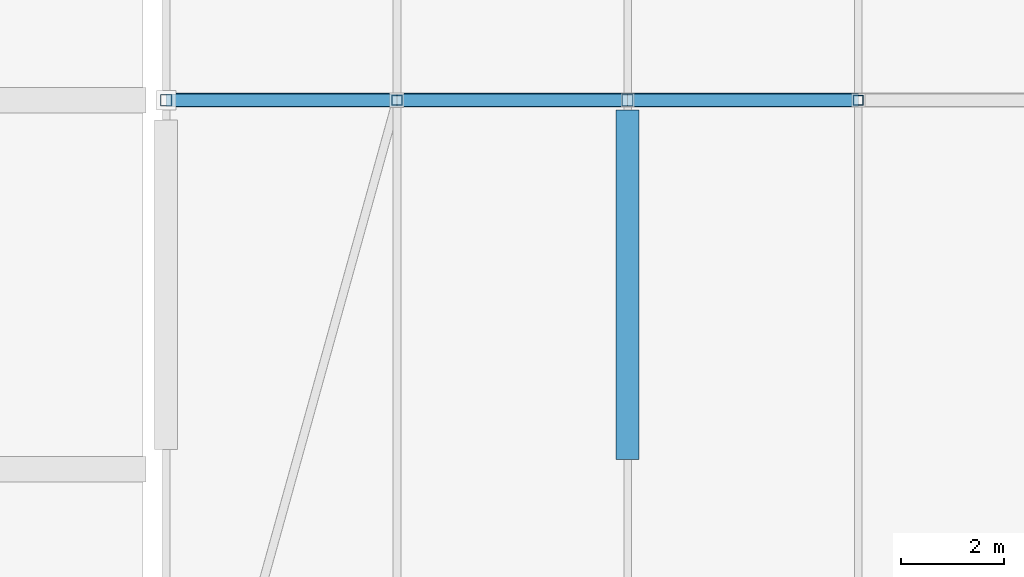
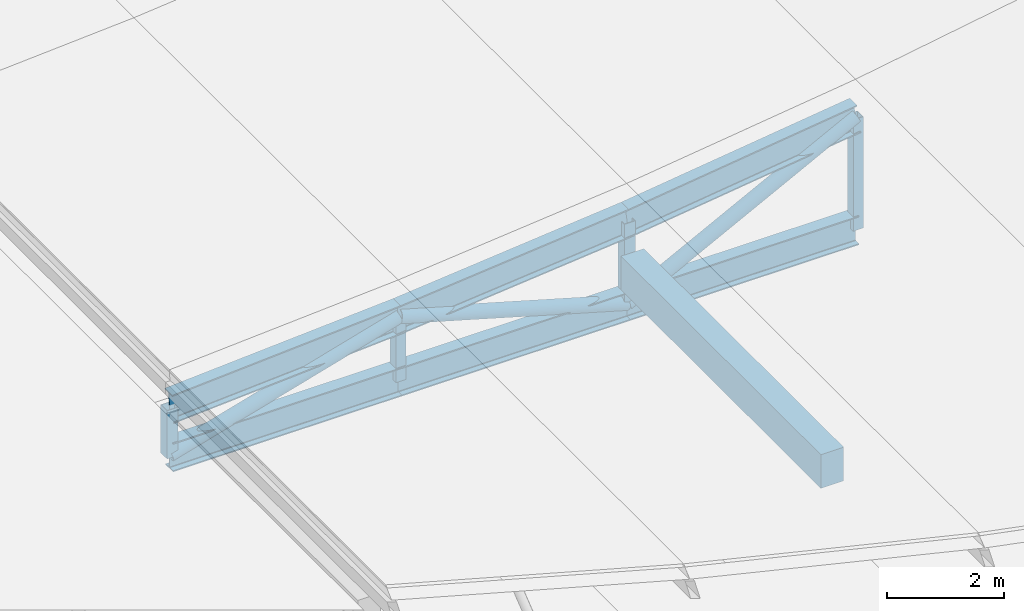
# One storey, part 9 of 24: 7 beams, 7 members.
"""IFC4 building model written with IfcOpenShell, lengths in metres."""

from ifc_helpers import new_model, si_unit, direction, frame, origin, origin_2d, place, context, subcontext, project, spatial, rectangle, hollow_rectangle, hollow_circle, i_section, extrude, material, material_profile, profile_set, type_object, element, save


model = new_model("IFC4")

# Units and contexts
model_context = context("Model", 3, precision=1e-05, world=origin(), true_north=direction((0.0, 1.0)))
body_context = subcontext(model_context, "Body", "Model", "MODEL_VIEW")
ifc_project = project(units=[si_unit("LENGTHUNIT", "METRE"), si_unit("AREAUNIT", "SQUARE_METRE"), si_unit("VOLUMEUNIT", "CUBIC_METRE"), si_unit("PLANEANGLEUNIT", "RADIAN"), si_unit("MASSUNIT", "GRAM", prefix="KILO"), si_unit("THERMODYNAMICTEMPERATUREUNIT", "KELVIN"), si_unit("POWERUNIT", "WATT")], contexts=[model_context])

# Site, building, storey
site_placement = place(None, origin())
site = spatial("IfcSite", under=ifc_project, at=site_placement, CompositionType="ELEMENT")
building_placement = place(site_placement, origin())
building = spatial("IfcBuilding", under=site, at=building_placement, Name="Sindhuravela Promenade Stadium", CompositionType="ELEMENT")
storey_placement = place(building_placement, frame((0.0, 0.0, 28.800048828125)))
storey = spatial("IfcBuildingStorey", under=building, at=storey_placement, Name="RF", CompositionType="ELEMENT", Elevation=28.800048828125)

# Beams
ifc_material_1 = material(Name="Concrete M40", Category="concrete")
ifc_material_profile_1 = material_profile(ifc_material_1, rectangle(XDim=0.449951171875, YDim=0.699951171875, at=origin_2d()), Name="RC 450x700")
ifc_profile_set_1 = profile_set([ifc_material_profile_1], Name="Concrete M40")
beam_type_1 = type_object("IfcBeamType", Name="RC-BM-450x700", PredefinedType="BEAM", material=ifc_profile_set_1)
beam_1_placement = place(storey_placement, frame((27.0, 77.59326171875, -0.590087890625), z_axis=(0.0, 1.0, 0.0), x_axis=(-1.0, 0.0, 0.0)))
element("IfcBeam", 1, at=beam_1_placement, inside=storey, type_object=beam_type_1, Name="Primary beam GB07 WEST RF", PredefinedType="BEAM", context=body_context, shape_type="SweptSolid", body=[
    extrude(rectangle(XDim=0.449951171875, YDim=0.699951171875, at=origin_2d()), origin(), (0.0, 0.0, 1.0), 6.8134765625),
])
ifc_material_2 = material(Name="Steel E350 (IS 2062 E350BR)", Category="steel")
ifc_material_profile_2 = material_profile(ifc_material_2, i_section(OverallWidth=0.25, OverallDepth=0.60009765625, WebThickness=0.01171875, FlangeThickness=0.023681640625, FilletRadius=0.01708984375, at=origin_2d()), Name="ISWB 600")
ifc_profile_set_2 = profile_set([ifc_material_profile_2], Name="Steel E350 (IS 2062 E350BR)")
beam_type_2 = type_object("IfcBeamType", Name="ST-BM-WB600", PredefinedType="USERDEFINED", material=ifc_profile_set_2)
beam_2_placement = place(storey_placement, frame((18.0, 84.60009765625, -0.400146484375), z_axis=(0.9978804116779728, 0.0, 0.06507444958967683), x_axis=(0.0, 1.0, 0.0)))
element("IfcBeam", 2, at=beam_2_placement, inside=storey, type_object=beam_type_2, Name="Roof truss RT-W05 top chord 1", ObjectType="ROOF TRUSS", PredefinedType="USERDEFINED", context=body_context, shape_type="SweptSolid", body=[
    extrude(i_section(OverallWidth=0.25, OverallDepth=0.60009765625, WebThickness=0.01171875, FlangeThickness=0.023681640625, FilletRadius=0.01708984375, at=origin_2d()), origin(), (0.0, 0.0, 1.0), 4.509521484375),
])
beam_3_placement = place(storey_placement, frame((18.0, 84.60009765625, -1.400146484375), z_axis=(1.0, 0.0, 0.0), x_axis=(0.0, 1.0, 0.0)))
element("IfcBeam", 3, at=beam_3_placement, inside=storey, type_object=beam_type_2, Name="Roof truss RT-W05 bottom chord 1", ObjectType="ROOF TRUSS", PredefinedType="USERDEFINED", context=body_context, shape_type="SweptSolid", body=[
    extrude(i_section(OverallWidth=0.25, OverallDepth=0.60009765625, WebThickness=0.01171875, FlangeThickness=0.023681640625, FilletRadius=0.01708984375, at=origin_2d()), origin(), (0.0, 0.0, 1.0), 4.5),
])
beam_4_placement = place(storey_placement, frame((22.5, 84.60009765625, -0.106689453125), z_axis=(0.9953538541007115, 0.0, 0.09628450096905213), x_axis=(0.0, 1.0, 0.0)))
element("IfcBeam", 4, at=beam_4_placement, inside=storey, type_object=beam_type_2, Name="Roof truss RT-W05 top chord 2", ObjectType="ROOF TRUSS", PredefinedType="USERDEFINED", context=body_context, shape_type="SweptSolid", body=[
    extrude(i_section(OverallWidth=0.25, OverallDepth=0.60009765625, WebThickness=0.01171875, FlangeThickness=0.023681640625, FilletRadius=0.01708984375, at=origin_2d()), origin(), (0.0, 0.0, 1.0), 4.52099609375),
])
beam_5_placement = place(storey_placement, frame((22.5, 84.60009765625, -1.400146484375), z_axis=(1.0, 0.0, 0.0), x_axis=(0.0, 1.0, 0.0)))
element("IfcBeam", 5, at=beam_5_placement, inside=storey, type_object=beam_type_2, Name="Roof truss RT-W05 bottom chord 2", ObjectType="ROOF TRUSS", PredefinedType="USERDEFINED", context=body_context, shape_type="SweptSolid", body=[
    extrude(i_section(OverallWidth=0.25, OverallDepth=0.60009765625, WebThickness=0.01171875, FlangeThickness=0.023681640625, FilletRadius=0.01708984375, at=origin_2d()), origin(), (0.0, 0.0, 1.0), 4.5),
])
beam_6_placement = place(storey_placement, frame((27.0, 84.60009765625, 0.32861328125), z_axis=(0.9915324824363395, 0.0, 0.12985890910380443), x_axis=(0.0, 1.0, 0.0)))
element("IfcBeam", 6, at=beam_6_placement, inside=storey, type_object=beam_type_2, Name="Roof truss RT-W05 top chord 3", ObjectType="ROOF TRUSS", PredefinedType="USERDEFINED", context=body_context, shape_type="SweptSolid", body=[
    extrude(i_section(OverallWidth=0.25, OverallDepth=0.60009765625, WebThickness=0.01171875, FlangeThickness=0.023681640625, FilletRadius=0.01708984375, at=origin_2d()), origin(), (0.0, 0.0, 1.0), 4.538330078125),
])
beam_7_placement = place(storey_placement, frame((27.0, 84.60009765625, -1.400146484375), z_axis=(1.0, 0.0, 0.0), x_axis=(0.0, 1.0, 0.0)))
element("IfcBeam", 7, at=beam_7_placement, inside=storey, type_object=beam_type_2, Name="Roof truss RT-W05 bottom chord 3", ObjectType="ROOF TRUSS", PredefinedType="USERDEFINED", context=body_context, shape_type="SweptSolid", body=[
    extrude(i_section(OverallWidth=0.25, OverallDepth=0.60009765625, WebThickness=0.01171875, FlangeThickness=0.023681640625, FilletRadius=0.01708984375, at=origin_2d()), origin(), (0.0, 0.0, 1.0), 4.5),
])

# Members
ifc_material_profile_3 = material_profile(ifc_material_2, hollow_circle(Radius=0.136474609375, WallThickness=0.010009765625, at=origin_2d()), Name="CHS 273.0x10")
ifc_profile_set_3 = profile_set([ifc_material_profile_3], Name="Steel E350 (IS 2062 E350BR)")
member_type_1 = type_object("IfcMemberType", Name="ST-MB-CHS273", PredefinedType="BRACE", material=ifc_profile_set_3)
for number, where, z_axis, x_axis, name in (
    (8, (18.0, 84.60009765625, -1.400146484375), (0.9610859178775457, 0.0, 0.2762496306920159), (0.0, 1.0, 0.0), "Roof truss RT-W05 diagonal web 1"),
    (9, (22.5, 84.60009765625, -0.106689453125), (0.9610859178775457, 0.0, -0.2762496306920159), (0.0, 1.0, 0.0), "Roof truss RT-W05 diagonal web 2"),
):
    element("IfcMember", number, at=place(storey_placement, frame(where, z_axis=z_axis, x_axis=x_axis)), inside=storey, type_object=member_type_1, Name=name, PredefinedType="BRACE", context=body_context, shape_type="SweptSolid", body=[
        extrude(hollow_circle(Radius=0.136474609375, WallThickness=0.010009765625, at=origin_2d()), origin(), (0.0, 0.0, 1.0), 4.68212890625),
    ])
member_1_placement = place(storey_placement, frame((27.0, 84.60009765625, -1.400146484375), z_axis=(0.8889799113932431, 0.0, 0.457946194589781), x_axis=(0.0, 1.0, 0.0)))
element("IfcMember", 10, at=member_1_placement, inside=storey, type_object=member_type_1, Name="Roof truss RT-W05 diagonal web 3", PredefinedType="BRACE", context=body_context, shape_type="SweptSolid", body=[
    extrude(hollow_circle(Radius=0.136474609375, WallThickness=0.010009765625, at=origin_2d()), origin(), (0.0, 0.0, 1.0), 5.06201171875),
])
ifc_material_profile_4 = material_profile(ifc_material_2, hollow_rectangle(XDim=0.199951171875, YDim=0.199951171875, WallThickness=0.010009765625, at=origin_2d()), Name="SHS 200x200x10")
ifc_profile_set_4 = profile_set([ifc_material_profile_4], Name="Steel E350 (IS 2062 E350BR)")
member_type_2 = type_object("IfcMemberType", Name="ST-MB-SHS200", PredefinedType="POST", material=ifc_profile_set_4)
member_2_placement = place(storey_placement, frame((22.5, 84.60009765625, -1.400146484375), z_axis=(0.0, 0.0, 1.0), x_axis=(1.0, 0.0, 0.0)))
element("IfcMember", 11, at=member_2_placement, inside=storey, type_object=member_type_2, Name="Roof truss RT-W05 vertical post 2", PredefinedType="POST", context=body_context, shape_type="SweptSolid", body=[
    extrude(hollow_rectangle(XDim=0.199951171875, YDim=0.199951171875, WallThickness=0.010009765625, at=origin_2d()), origin(), (0.0, 0.0, 1.0), 1.29345703125),
])
member_3_placement = place(storey_placement, frame((31.5, 84.60009765625, -1.400146484375), z_axis=(0.0, 0.0, 1.0), x_axis=(1.0, 0.0, 0.0)))
element("IfcMember", 12, at=member_3_placement, inside=storey, type_object=member_type_2, Name="Roof truss RT-W05 vertical post 4", PredefinedType="POST", context=body_context, shape_type="SweptSolid", body=[
    extrude(hollow_rectangle(XDim=0.199951171875, YDim=0.199951171875, WallThickness=0.010009765625, at=origin_2d()), origin(), (0.0, 0.0, 1.0), 2.318115234375),
])
ifc_material_profile_5 = material_profile(ifc_material_2, hollow_rectangle(XDim=0.219970703125, YDim=0.219970703125, WallThickness=0.011962890625, at=origin_2d()), Name="SHS 220x220x12")
ifc_profile_set_5 = profile_set([ifc_material_profile_5], Name="Steel E350 (IS 2062 E350BR)")
member_type_3 = type_object("IfcMemberType", Name="ST-MB-SHS220", PredefinedType="POST", material=ifc_profile_set_5)
member_4_placement = place(storey_placement, frame((18.0, 84.60009765625, -1.400146484375), z_axis=(0.0, 0.0, 1.0), x_axis=(1.0, 0.0, 0.0)))
element("IfcMember", 13, at=member_4_placement, inside=storey, type_object=member_type_3, Name="Roof truss RT-W05 vertical post 1", PredefinedType="POST", context=body_context, shape_type="SweptSolid", body=[
    extrude(hollow_rectangle(XDim=0.219970703125, YDim=0.219970703125, WallThickness=0.011962890625, at=origin_2d()), origin(), (0.0, 0.0, 1.0), 1.0),
])
member_5_placement = place(storey_placement, frame((27.0, 84.60009765625, -1.400146484375), z_axis=(0.0, 0.0, 1.0), x_axis=(1.0, 0.0, 0.0)))
element("IfcMember", 14, at=member_5_placement, inside=storey, type_object=member_type_3, Name="Roof truss RT-W05 vertical post 3", PredefinedType="POST", context=body_context, shape_type="SweptSolid", body=[
    extrude(hollow_rectangle(XDim=0.219970703125, YDim=0.219970703125, WallThickness=0.011962890625, at=origin_2d()), origin(), (0.0, 0.0, 1.0), 1.728759765625),
])

save(model, "model.ifc")
